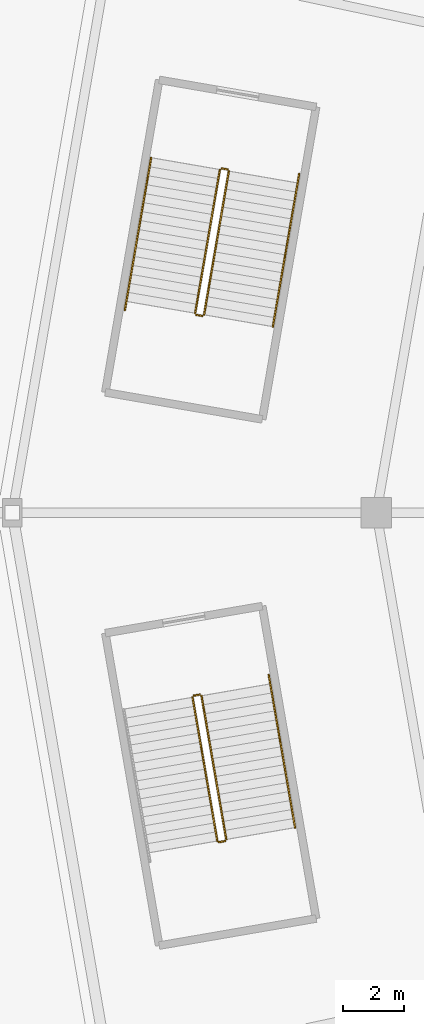
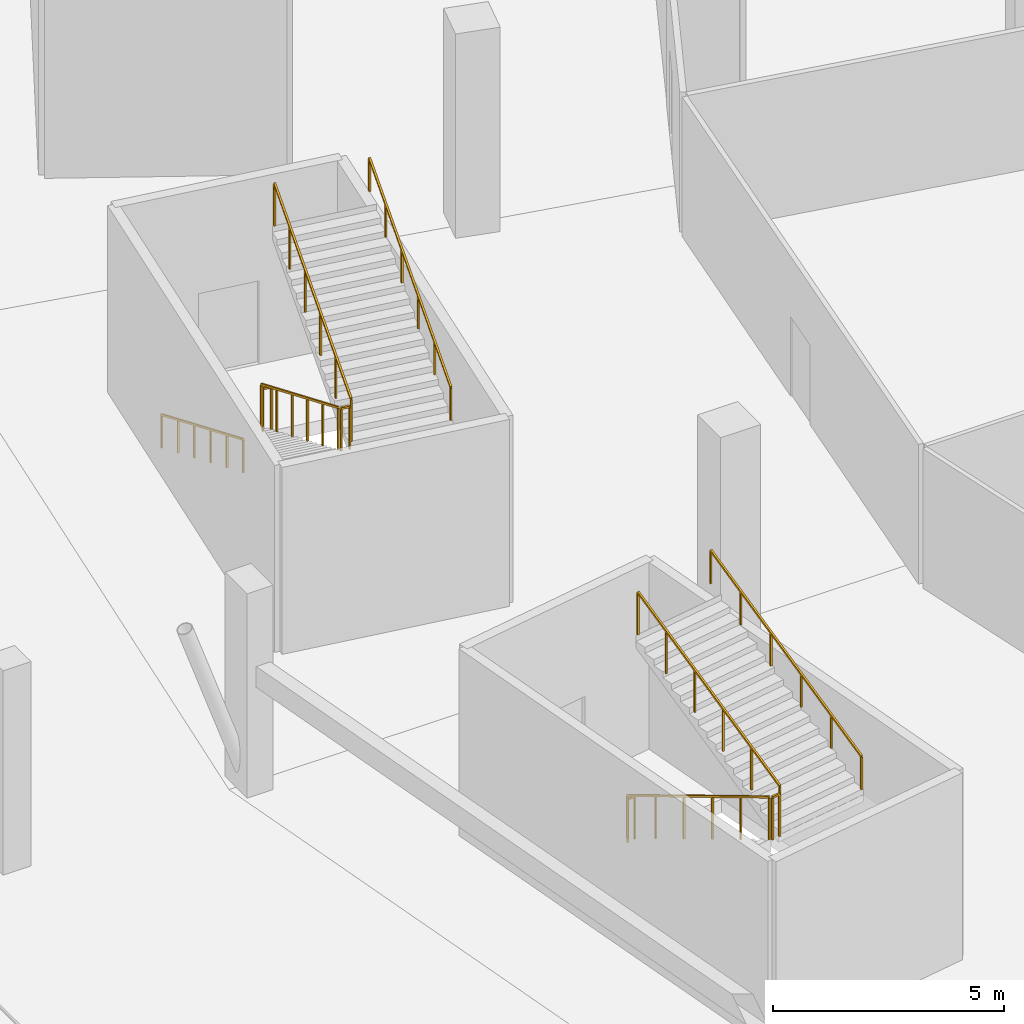
# One storey, part 64 of 82: 11 railings.
"""IFC4 building model written with IfcOpenShell, lengths in metres."""

from ifc_helpers import new_model, si_unit, direction, frame, origin, origin_2d, place, context, subcontext, project, spatial, rectangle, extrude, material, type_object, element, save


model = new_model("IFC4")

# Units and contexts
model_context = context("Model", 3, precision=1e-05, world=origin(), true_north=direction((0.0, 1.0)))
body_context = subcontext(model_context, "Body", "Model", "MODEL_VIEW")
ifc_project = project(units=[si_unit("LENGTHUNIT", "METRE"), si_unit("AREAUNIT", "SQUARE_METRE"), si_unit("VOLUMEUNIT", "CUBIC_METRE"), si_unit("PLANEANGLEUNIT", "RADIAN"), si_unit("MASSUNIT", "GRAM", prefix="KILO")], contexts=[model_context])

# Site, building, storey
site_placement = place(None, origin())
site = spatial("IfcSite", under=ifc_project, at=site_placement, CompositionType="ELEMENT")
building_placement = place(site_placement, origin())
building = spatial("IfcBuilding", under=site, at=building_placement, Name="Zlatoyarsky Gate Stadium", CompositionType="ELEMENT")
storey_placement = place(building_placement, origin())
storey = spatial("IfcBuildingStorey", under=building, at=storey_placement, Name="L00", CompositionType="ELEMENT", Elevation=0.0)

# Railings
ifc_material_1 = material(Name="Powder-coated steel stair guardrail", Category="steel")
railing_type_1 = type_object("IfcRailingType", Name="PAINTED STEEL STAIR WELL GUARDRAIL 1150", PredefinedType="GUARDRAIL", material=ifc_material_1)
railing_1_placement = place(storey_placement, frame((23.9404296875, 73.914306640625, 0.158935546875)))
element("IfcRailing", 1, at=railing_1_placement, inside=storey, type_object=railing_type_1, Name="ST-07 L00 stair guard 1", PredefinedType="GUARDRAIL", context=body_context, shape_type="SweptSolid", body=[
    extrude(rectangle(XDim=0.048095703125, YDim=0.048095703125, at=origin_2d()), frame((0.0, 0.0, 1.1259765625), z_axis=(0.150185083639, -0.870947619129, 0.467861822962), x_axis=(0.985456004189, 0.169930761806, 0.0)), (0.0, 0.0, 1.0), 5.43115234375),
    extrude(rectangle(XDim=0.0419921875, YDim=0.0419921875, at=origin_2d()), origin(), (0.0, 0.0, 1.0), 1.101806640625),
    extrude(rectangle(XDim=0.0419921875, YDim=0.0419921875, at=origin_2d()), frame((0.1630859375, -0.946044921875, 0.50830078125)), (0.0, 0.0, 1.0), 1.101806640625),
    extrude(rectangle(XDim=0.0419921875, YDim=0.0419921875, at=origin_2d()), frame((0.326171875, -1.89208984375, 1.016357421875)), (0.0, 0.0, 1.0), 1.101806640625),
    extrude(rectangle(XDim=0.0419921875, YDim=0.0419921875, at=origin_2d()), frame((0.489501953125, -2.838134765625, 1.524658203125)), (0.0, 0.0, 1.0), 1.101806640625),
    extrude(rectangle(XDim=0.0419921875, YDim=0.0419921875, at=origin_2d()), frame((0.652587890625, -3.7841796875, 2.03271484375)), (0.0, 0.0, 1.0), 1.101806640625),
    extrude(rectangle(XDim=0.0419921875, YDim=0.0419921875, at=origin_2d()), frame((0.815673828125, -4.730224609375, 2.541015625)), (0.0, 0.0, 1.0), 1.101806640625),
])
railing_2_placement = place(storey_placement, frame((24.81396484375, 69.143310546875, 2.699951171875)))
element("IfcRailing", 2, at=railing_2_placement, inside=storey, type_object=railing_type_1, Name="ST-07 L00 stair guard 2", PredefinedType="GUARDRAIL", context=body_context, shape_type="SweptSolid", body=[
    extrude(rectangle(XDim=0.048095703125, YDim=0.048095703125, at=origin_2d()), frame((0.0, 0.0, 1.1259765625), z_axis=(0.985488304827, 0.16974333875, 0.0), x_axis=(-0.16974333875, 0.985488304827, 0.0)), (0.0, 0.0, 1.0), 0.199951171875),
    extrude(rectangle(XDim=0.0419921875, YDim=0.0419921875, at=origin_2d()), origin(), (0.0, 0.0, 1.0), 1.101806640625),
    extrude(rectangle(XDim=0.0419921875, YDim=0.0419921875, at=origin_2d()), frame((0.197021484375, 0.033935546875, 0.0)), (0.0, 0.0, 1.0), 1.101806640625),
])
railing_3_placement = place(storey_placement, frame((25.0517578125, 69.235107421875, 2.85888671875)))
element("IfcRailing", 3, at=railing_3_placement, inside=storey, type_object=railing_type_1, Name="ST-07 L00 stair guard 3", PredefinedType="GUARDRAIL", context=body_context, shape_type="SweptSolid", body=[
    extrude(rectangle(XDim=0.048095703125, YDim=0.048095703125, at=origin_2d()), frame((0.0, 0.0, 1.1259765625), z_axis=(-0.150190963722, 0.870936764788, 0.467880140803), x_axis=(-0.985454535357, -0.169939279582, 0.0)), (0.0, 0.0, 1.0), 5.430908203125),
    extrude(rectangle(XDim=0.0419921875, YDim=0.0419921875, at=origin_2d()), origin(), (0.0, 0.0, 1.0), 1.101806640625),
    extrude(rectangle(XDim=0.0419921875, YDim=0.0419921875, at=origin_2d()), frame((-0.1630859375, 0.946044921875, 0.50830078125)), (0.0, 0.0, 1.0), 1.101806640625),
    extrude(rectangle(XDim=0.0419921875, YDim=0.0419921875, at=origin_2d()), frame((-0.326171875, 1.89208984375, 1.016357421875)), (0.0, 0.0, 1.0), 1.101806640625),
    extrude(rectangle(XDim=0.0419921875, YDim=0.0419921875, at=origin_2d()), frame((-0.489501953125, 2.837890625, 1.524658203125)), (0.0, 0.0, 1.0), 1.101806640625),
    extrude(rectangle(XDim=0.0419921875, YDim=0.0419921875, at=origin_2d()), frame((-0.652587890625, 3.783935546875, 2.03271484375)), (0.0, 0.0, 1.0), 1.101806640625),
    extrude(rectangle(XDim=0.0419921875, YDim=0.0419921875, at=origin_2d()), frame((-0.815673828125, 4.72998046875, 2.541015625)), (0.0, 0.0, 1.0), 1.101806640625),
])
railing_4_placement = place(storey_placement, frame((23.981201171875, 73.971923828125, 0.0)))
element("IfcRailing", 4, at=railing_4_placement, inside=storey, type_object=railing_type_1, Name="ST-07 L00 stair guard 4", PredefinedType="GUARDRAIL", context=body_context, shape_type="SweptSolid", body=[
    extrude(rectangle(XDim=0.048095703125, YDim=0.048095703125, at=origin_2d()), frame((0.0, 0.0, 1.1259765625), z_axis=(0.985488304827, 0.16974333875, 0.0), x_axis=(-0.16974333875, 0.985488304827, 0.0)), (0.0, 0.0, 1.0), 0.199951171875),
    extrude(rectangle(XDim=0.0419921875, YDim=0.0419921875, at=origin_2d()), origin(), (0.0, 0.0, 1.0), 1.101806640625),
    extrude(rectangle(XDim=0.0419921875, YDim=0.0419921875, at=origin_2d()), frame((0.197021484375, 0.033935546875, 0.0)), (0.0, 0.0, 1.0), 1.101806640625),
])
railing_5_placement = place(storey_placement, frame((24.841064453125, 91.30859375, 0.158935546875)))
element("IfcRailing", 5, at=railing_5_placement, inside=storey, type_object=railing_type_1, Name="ST-18 L00 stair guard 1", PredefinedType="GUARDRAIL", context=body_context, shape_type="SweptSolid", body=[
    extrude(rectangle(XDim=0.048095703125, YDim=0.048095703125, at=origin_2d()), frame((0.0, 0.0, 1.1259765625), z_axis=(-0.150190963722, -0.870936764788, 0.467880140803), x_axis=(0.985454535357, -0.169939279582, 0.0)), (0.0, 0.0, 1.0), 5.430908203125),
    extrude(rectangle(XDim=0.0419921875, YDim=0.0419921875, at=origin_2d()), origin(), (0.0, 0.0, 1.0), 1.101806640625),
    extrude(rectangle(XDim=0.0419921875, YDim=0.0419921875, at=origin_2d()), frame((-0.1630859375, -0.946044921875, 0.50830078125)), (0.0, 0.0, 1.0), 1.101806640625),
    extrude(rectangle(XDim=0.0419921875, YDim=0.0419921875, at=origin_2d()), frame((-0.326171875, -1.89208984375, 1.016357421875)), (0.0, 0.0, 1.0), 1.101806640625),
    extrude(rectangle(XDim=0.0419921875, YDim=0.0419921875, at=origin_2d()), frame((-0.489501953125, -2.837890625, 1.524658203125)), (0.0, 0.0, 1.0), 1.101806640625),
    extrude(rectangle(XDim=0.0419921875, YDim=0.0419921875, at=origin_2d()), frame((-0.652587890625, -3.783935546875, 2.03271484375)), (0.0, 0.0, 1.0), 1.101806640625),
    extrude(rectangle(XDim=0.0419921875, YDim=0.0419921875, at=origin_2d()), frame((-0.815673828125, -4.72998046875, 2.541015625)), (0.0, 0.0, 1.0), 1.101806640625),
])
railing_6_placement = place(storey_placement, frame((24.066162109375, 86.520751953125, 2.699951171875)))
element("IfcRailing", 6, at=railing_6_placement, inside=storey, type_object=railing_type_1, Name="ST-18 L00 stair guard 2", PredefinedType="GUARDRAIL", context=body_context, shape_type="SweptSolid", body=[
    extrude(rectangle(XDim=0.048095703125, YDim=0.048095703125, at=origin_2d()), frame((0.0, 0.0, 1.1259765625), z_axis=(0.985488304827, -0.16974333875, 0.0), x_axis=(0.16974333875, 0.985488304827, 0.0)), (0.0, 0.0, 1.0), 0.199951171875),
    extrude(rectangle(XDim=0.0419921875, YDim=0.0419921875, at=origin_2d()), origin(), (0.0, 0.0, 1.0), 1.101806640625),
    extrude(rectangle(XDim=0.0419921875, YDim=0.0419921875, at=origin_2d()), frame((0.197021484375, -0.033935546875, 0.0)), (0.0, 0.0, 1.0), 1.101806640625),
])
railing_7_placement = place(storey_placement, frame((24.321044921875, 86.527587890625, 2.85888671875)))
element("IfcRailing", 7, at=railing_7_placement, inside=storey, type_object=railing_type_1, Name="ST-18 L00 stair guard 3", PredefinedType="GUARDRAIL", context=body_context, shape_type="SweptSolid", body=[
    extrude(rectangle(XDim=0.048095703125, YDim=0.048095703125, at=origin_2d()), frame((0.0, 0.0, 1.1259765625), z_axis=(0.150185083639, 0.870947619129, 0.467861822962), x_axis=(-0.985456004189, 0.169930761806, 0.0)), (0.0, 0.0, 1.0), 5.43115234375),
    extrude(rectangle(XDim=0.0419921875, YDim=0.0419921875, at=origin_2d()), origin(), (0.0, 0.0, 1.0), 1.101806640625),
    extrude(rectangle(XDim=0.0419921875, YDim=0.0419921875, at=origin_2d()), frame((0.1630859375, 0.946044921875, 0.50830078125)), (0.0, 0.0, 1.0), 1.101806640625),
    extrude(rectangle(XDim=0.0419921875, YDim=0.0419921875, at=origin_2d()), frame((0.326171875, 1.89208984375, 1.016357421875)), (0.0, 0.0, 1.0), 1.101806640625),
    extrude(rectangle(XDim=0.0419921875, YDim=0.0419921875, at=origin_2d()), frame((0.489501953125, 2.838134765625, 1.524658203125)), (0.0, 0.0, 1.0), 1.101806640625),
    extrude(rectangle(XDim=0.0419921875, YDim=0.0419921875, at=origin_2d()), frame((0.652587890625, 3.7841796875, 2.03271484375)), (0.0, 0.0, 1.0), 1.101806640625),
    extrude(rectangle(XDim=0.0419921875, YDim=0.0419921875, at=origin_2d()), frame((0.815673828125, 4.730224609375, 2.541015625)), (0.0, 0.0, 1.0), 1.101806640625),
])
railing_8_placement = place(storey_placement, frame((24.89892578125, 91.349365234375, 0.0)))
element("IfcRailing", 8, at=railing_8_placement, inside=storey, type_object=railing_type_1, Name="ST-18 L00 stair guard 4", PredefinedType="GUARDRAIL", context=body_context, shape_type="SweptSolid", body=[
    extrude(rectangle(XDim=0.048095703125, YDim=0.048095703125, at=origin_2d()), frame((0.0, 0.0, 1.1259765625), z_axis=(0.985488304827, -0.16974333875, 0.0), x_axis=(0.16974333875, 0.985488304827, 0.0)), (0.0, 0.0, 1.0), 0.199951171875),
    extrude(rectangle(XDim=0.0419921875, YDim=0.0419921875, at=origin_2d()), origin(), (0.0, 0.0, 1.0), 1.101806640625),
    extrude(rectangle(XDim=0.0419921875, YDim=0.0419921875, at=origin_2d()), frame((0.197021484375, -0.033935546875, 0.0)), (0.0, 0.0, 1.0), 1.101806640625),
])
ifc_material_2 = material(Name="Brushed stainless steel 316 handrail", Category="steel")
railing_type_2 = type_object("IfcRailingType", Name="STAINLESS STEEL TUBULAR HANDRAIL 900", PredefinedType="HANDRAIL", material=ifc_material_2)
railing_9_placement = place(storey_placement, frame((27.318359375, 69.625732421875, 2.86279296875)))
element("IfcRailing", 9, at=railing_9_placement, inside=storey, type_object=railing_type_2, Name="ST-07 L00 stair handrail 2", PredefinedType="HANDRAIL", context=body_context, shape_type="SweptSolid", body=[
    extrude(rectangle(XDim=0.048095703125, YDim=0.048095703125, at=origin_2d()), frame((0.0, 0.0, 0.8759765625), z_axis=(-0.150191005061, 0.870938600052, 0.467876711259), x_axis=(-0.985454587494, -0.169938977247, 0.0)), (0.0, 0.0, 1.0), 5.770751953125),
    extrude(rectangle(XDim=0.0419921875, YDim=0.0419921875, at=origin_2d()), origin(), (0.0, 0.0, 1.0), 0.851806640625),
    extrude(rectangle(XDim=0.0419921875, YDim=0.0419921875, at=origin_2d()), frame((-0.17333984375, 1.005126953125, 0.5400390625)), (0.0, 0.0, 1.0), 0.851806640625),
    extrude(rectangle(XDim=0.0419921875, YDim=0.0419921875, at=origin_2d()), frame((-0.3466796875, 2.01025390625, 1.080078125)), (0.0, 0.0, 1.0), 0.851806640625),
    extrude(rectangle(XDim=0.0419921875, YDim=0.0419921875, at=origin_2d()), frame((-0.52001953125, 3.015625, 1.619873046875)), (0.0, 0.0, 1.0), 0.851806640625),
    extrude(rectangle(XDim=0.0419921875, YDim=0.0419921875, at=origin_2d()), frame((-0.693359375, 4.020751953125, 2.159912109375)), (0.0, 0.0, 1.0), 0.851806640625),
    extrude(rectangle(XDim=0.0419921875, YDim=0.0419921875, at=origin_2d()), frame((-0.86669921875, 5.02587890625, 2.699951171875)), (0.0, 0.0, 1.0), 0.851806640625),
])
railing_10_placement = place(storey_placement, frame((22.574462890625, 91.699462890625, 0.162841796875)))
element("IfcRailing", 10, at=railing_10_placement, inside=storey, type_object=railing_type_2, Name="ST-18 L00 stair handrail 1", PredefinedType="HANDRAIL", context=body_context, shape_type="SweptSolid", body=[
    extrude(rectangle(XDim=0.048095703125, YDim=0.048095703125, at=origin_2d()), frame((0.0, 0.0, 0.8759765625), z_axis=(-0.150196539333, -0.870928383709, 0.467893951685), x_axis=(0.985453204942, -0.169946994294, 0.0)), (0.0, 0.0, 1.0), 5.7705078125),
    extrude(rectangle(XDim=0.0419921875, YDim=0.0419921875, at=origin_2d()), origin(), (0.0, 0.0, 1.0), 0.851806640625),
    extrude(rectangle(XDim=0.0419921875, YDim=0.0419921875, at=origin_2d()), frame((-0.17333984375, -1.005126953125, 0.5400390625)), (0.0, 0.0, 1.0), 0.851806640625),
    extrude(rectangle(XDim=0.0419921875, YDim=0.0419921875, at=origin_2d()), frame((-0.3466796875, -2.01025390625, 1.080078125)), (0.0, 0.0, 1.0), 0.851806640625),
    extrude(rectangle(XDim=0.0419921875, YDim=0.0419921875, at=origin_2d()), frame((-0.52001953125, -3.015380859375, 1.619873046875)), (0.0, 0.0, 1.0), 0.851806640625),
    extrude(rectangle(XDim=0.0419921875, YDim=0.0419921875, at=origin_2d()), frame((-0.693359375, -4.0205078125, 2.159912109375)), (0.0, 0.0, 1.0), 0.851806640625),
    extrude(rectangle(XDim=0.0419921875, YDim=0.0419921875, at=origin_2d()), frame((-0.86669921875, -5.025634765625, 2.699951171875)), (0.0, 0.0, 1.0), 0.851806640625),
])
railing_11_placement = place(storey_placement, frame((26.587646484375, 86.13671875, 2.86279296875)))
element("IfcRailing", 11, at=railing_11_placement, inside=storey, type_object=railing_type_2, Name="ST-18 L00 stair handrail 2", PredefinedType="HANDRAIL", context=body_context, shape_type="SweptSolid", body=[
    extrude(rectangle(XDim=0.048095703125, YDim=0.048095703125, at=origin_2d()), frame((0.0, 0.0, 0.8759765625), z_axis=(0.150191005061, 0.870938600052, 0.467876711259), x_axis=(-0.985454587494, 0.169938977247, 0.0)), (0.0, 0.0, 1.0), 5.770751953125),
    extrude(rectangle(XDim=0.0419921875, YDim=0.0419921875, at=origin_2d()), origin(), (0.0, 0.0, 1.0), 0.851806640625),
    extrude(rectangle(XDim=0.0419921875, YDim=0.0419921875, at=origin_2d()), frame((0.17333984375, 1.005126953125, 0.5400390625)), (0.0, 0.0, 1.0), 0.851806640625),
    extrude(rectangle(XDim=0.0419921875, YDim=0.0419921875, at=origin_2d()), frame((0.3466796875, 2.01025390625, 1.080078125)), (0.0, 0.0, 1.0), 0.851806640625),
    extrude(rectangle(XDim=0.0419921875, YDim=0.0419921875, at=origin_2d()), frame((0.52001953125, 3.015625, 1.619873046875)), (0.0, 0.0, 1.0), 0.851806640625),
    extrude(rectangle(XDim=0.0419921875, YDim=0.0419921875, at=origin_2d()), frame((0.693359375, 4.020751953125, 2.159912109375)), (0.0, 0.0, 1.0), 0.851806640625),
    extrude(rectangle(XDim=0.0419921875, YDim=0.0419921875, at=origin_2d()), frame((0.86669921875, 5.02587890625, 2.699951171875)), (0.0, 0.0, 1.0), 0.851806640625),
])

save(model, "model.ifc")
